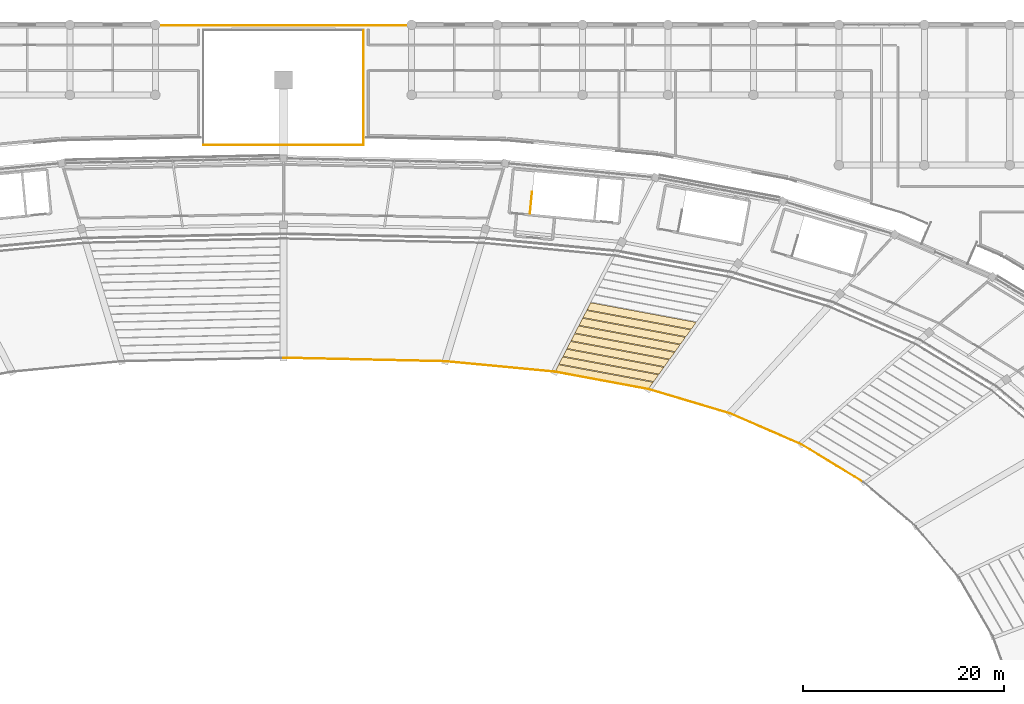
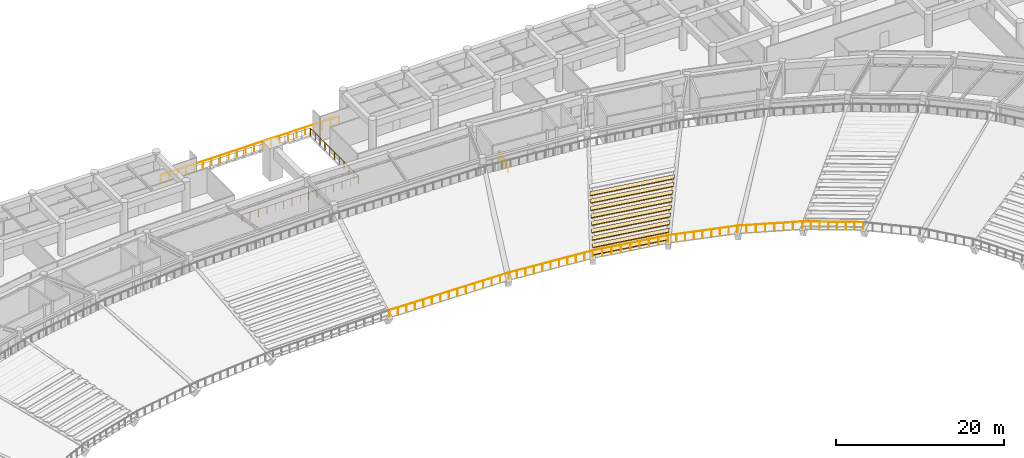
# One storey, part 135 of 137: 9 coverings, 4 railings.
"""IFC4 building model written with IfcOpenShell, lengths in metres."""

from ifc_helpers import new_model, si_unit, direction, frame, origin, origin_2d, place, context, subcontext, project, spatial, polyline, circle, outline, extrude, material, layer, layer_set, type_object, element, save


model = new_model("IFC4")

# Units and contexts
model_context = context("Model", 3, precision=1e-05, world=origin(), true_north=direction((0.0, 1.0)))
body_context = subcontext(model_context, "Body", "Model", "MODEL_VIEW")
ifc_project = project(units=[si_unit("LENGTHUNIT", "METRE"), si_unit("AREAUNIT", "SQUARE_METRE"), si_unit("VOLUMEUNIT", "CUBIC_METRE"), si_unit("PLANEANGLEUNIT", "RADIAN"), si_unit("MASSUNIT", "GRAM", prefix="KILO")], contexts=[model_context])

# Site, building, storey
site_placement = place(None, origin())
site = spatial("IfcSite", under=ifc_project, at=site_placement, CompositionType="ELEMENT")
building_placement = place(site_placement, origin())
building = spatial("IfcBuilding", under=site, at=building_placement, Name="Mphavela Belvedere Stadium", CompositionType="ELEMENT")
storey_placement = place(building_placement, frame((0.0, 0.0, 19.199951171875)))
storey = spatial("IfcBuildingStorey", under=building, at=storey_placement, Name="L04", CompositionType="ELEMENT", Elevation=19.199951171875)

# Coverings
ifc_material_1 = material(Name="Precast seating row terrazzo finish", Category="concrete")
ifc_layer = layer(ifc_material_1, 0.1201171875)
ifc_layer_set = layer_set([ifc_layer], Name="Precast seating row terrazzo finish")
covering_type = type_object("IfcCoveringType", Name="COV-SEAT-ROW-U", PredefinedType="FLOORING", material=ifc_layer_set)
covering_1_placement = place(storey_placement, frame((0.0, 0.0, -3.4033203125)))
element("IfcCovering", 1, at=covering_1_placement, inside=storey, type_object=covering_type, Name="Upper stand seating row bench B10-R01", PredefinedType="FLOORING", context=body_context, shape_type="SweptSolid", body=[
    extrude(outline(polyline([(151.3642578125, 137.6728515625), (142.0703125, 139.40380859375), (142.43701171875, 140.114013671875), (151.85693359375, 138.359619140625), (151.3642578125, 137.6728515625)])), origin(), (0.0, 0.0, 1.0), 0.1201171875),
])
covering_2_placement = place(storey_placement, frame((0.0, 0.0, -2.936767578125)))
element("IfcCovering", 2, at=covering_2_placement, inside=storey, type_object=covering_type, Name="Upper stand seating row bench B10-R02", PredefinedType="FLOORING", context=body_context, shape_type="SweptSolid", body=[
    extrude(outline(polyline([(151.89990234375, 138.419189453125), (142.468994140625, 140.175537109375), (142.835693359375, 140.8857421875), (152.392578125, 139.105712890625), (151.89990234375, 138.419189453125)])), origin(), (0.0, 0.0, 1.0), 0.1201171875),
])
covering_3_placement = place(storey_placement, frame((0.0, 0.0, -2.469970703125)))
element("IfcCovering", 3, at=covering_3_placement, inside=storey, type_object=covering_type, Name="Upper stand seating row bench B10-R03", PredefinedType="FLOORING", context=body_context, shape_type="SweptSolid", body=[
    extrude(outline(polyline([(152.435546875, 139.16552734375), (142.86767578125, 140.947509765625), (143.234375, 141.657470703125), (152.92822265625, 139.85205078125), (152.435546875, 139.16552734375)])), origin(), (0.0, 0.0, 1.0), 0.1201171875),
])
covering_4_placement = place(storey_placement, frame((0.0, 0.0, -2.003173828125)))
element("IfcCovering", 4, at=covering_4_placement, inside=storey, type_object=covering_type, Name="Upper stand seating row bench B10-R04", PredefinedType="FLOORING", context=body_context, shape_type="SweptSolid", body=[
    extrude(outline(polyline([(152.970947265625, 139.911865234375), (143.266357421875, 141.71923828125), (143.633056640625, 142.429443359375), (153.4638671875, 140.598388671875), (152.970947265625, 139.911865234375)])), origin(), (0.0, 0.0, 1.0), 0.119873046875),
])
covering_5_placement = place(storey_placement, frame((0.0, 0.0, -1.53662109375)))
element("IfcCovering", 5, at=covering_5_placement, inside=storey, type_object=covering_type, Name="Upper stand seating row bench B10-R05", PredefinedType="FLOORING", context=body_context, shape_type="SweptSolid", body=[
    extrude(outline(polyline([(153.506591796875, 140.658203125), (143.6650390625, 142.4912109375), (144.03173828125, 143.201171875), (153.99951171875, 141.3447265625), (153.506591796875, 140.658203125)])), origin(), (0.0, 0.0, 1.0), 0.119873046875),
])
covering_6_placement = place(storey_placement, frame((0.0, 0.0, -1.070068359375)))
element("IfcCovering", 6, at=covering_6_placement, inside=storey, type_object=covering_type, Name="Upper stand seating row bench B10-R06", PredefinedType="FLOORING", context=body_context, shape_type="SweptSolid", body=[
    extrude(outline(polyline([(154.042236328125, 141.404541015625), (144.063720703125, 143.262939453125), (144.430419921875, 143.97314453125), (154.534912109375, 142.09130859375), (154.042236328125, 141.404541015625)])), origin(), (0.0, 0.0, 1.0), 0.1201171875),
])
covering_7_placement = place(storey_placement, frame((0.0, 0.0, -0.603271484375)))
element("IfcCovering", 7, at=covering_7_placement, inside=storey, type_object=covering_type, Name="Upper stand seating row bench B10-R07", PredefinedType="FLOORING", context=body_context, shape_type="SweptSolid", body=[
    extrude(outline(polyline([(154.577880859375, 142.15087890625), (144.46240234375, 144.034912109375), (144.8291015625, 144.744873046875), (155.070556640625, 142.83740234375), (154.577880859375, 142.15087890625)])), origin(), (0.0, 0.0, 1.0), 0.1201171875),
])
covering_8_placement = place(storey_placement, frame((0.0, 0.0, -0.13671875)))
element("IfcCovering", 8, at=covering_8_placement, inside=storey, type_object=covering_type, Name="Upper stand seating row bench B10-R08", PredefinedType="FLOORING", context=body_context, shape_type="SweptSolid", body=[
    extrude(outline(polyline([(155.11328125, 142.897216796875), (144.861083984375, 144.806640625), (145.227783203125, 145.5166015625), (155.606201171875, 143.583984375), (155.11328125, 142.897216796875)])), origin(), (0.0, 0.0, 1.0), 0.1201171875),
])
covering_9_placement = place(storey_placement, frame((0.0, 0.0, 0.330078125)))
element("IfcCovering", 9, at=covering_9_placement, inside=storey, type_object=covering_type, Name="Upper stand seating row bench B10-R09", PredefinedType="FLOORING", context=body_context, shape_type="SweptSolid", body=[
    extrude(outline(polyline([(155.64892578125, 143.6435546875), (145.259765625, 145.57861328125), (145.626708984375, 146.28857421875), (156.141845703125, 144.330078125), (155.64892578125, 143.6435546875)])), origin(), (0.0, 0.0, 1.0), 0.119873046875),
])

# Railings
ifc_material_2 = material(Name="Bronze and laminated glass stadium balustrade", Category="glass")
railing_type_1 = type_object("IfcRailingType", Name="RAL-BALUSTRADE-1120", PredefinedType="BALUSTRADE", material=ifc_material_2)
railing_1_placement = place(storey_placement, frame((107.0, 162.0, 0.0)))
element("IfcRailing", 10, at=railing_1_placement, inside=storey, type_object=railing_type_1, Name="North Mast and Ceremonial End Forecourt court balustrade L04-A", PredefinedType="BALUSTRADE", context=body_context, shape_type="SweptSolid", body=[
    extrude(circle(Radius=0.02392578125, at=origin_2d()), frame((0.0, 0.0, 1.09619140625), z_axis=(1.0, 0.0, 0.0), x_axis=(0.0, 1.0, 0.0)), (0.0, 0.0, 1.0), 16.0),
    extrude(circle(Radius=0.02392578125, at=origin_2d()), frame((16.0, 0.0, 1.09619140625), z_axis=(0.0, 1.0, 0.0), x_axis=(-1.0, 0.0, 0.0)), (0.0, 0.0, 1.0), 11.419921875),
    extrude(circle(Radius=0.02099609375, at=origin_2d()), origin(), (0.0, 0.0, 1.0), 1.072021484375),
    extrude(circle(Radius=0.02099609375, at=origin_2d()), frame((1.142822265625, 0.0, 0.0)), (0.0, 0.0, 1.0), 1.072021484375),
    extrude(circle(Radius=0.02099609375, at=origin_2d()), frame((2.28564453125, 0.0, 0.0)), (0.0, 0.0, 1.0), 1.072021484375),
    extrude(circle(Radius=0.02099609375, at=origin_2d()), frame((3.428466796875, 0.0, 0.0)), (0.0, 0.0, 1.0), 1.072021484375),
    extrude(circle(Radius=0.02099609375, at=origin_2d()), frame((4.571533203125, 0.0, 0.0)), (0.0, 0.0, 1.0), 1.072021484375),
    extrude(circle(Radius=0.02099609375, at=origin_2d()), frame((5.71435546875, 0.0, 0.0)), (0.0, 0.0, 1.0), 1.072021484375),
    extrude(circle(Radius=0.02099609375, at=origin_2d()), frame((6.857177734375, 0.0, 0.0)), (0.0, 0.0, 1.0), 1.072021484375),
    extrude(circle(Radius=0.02099609375, at=origin_2d()), frame((8.0, 0.0, 0.0)), (0.0, 0.0, 1.0), 1.072021484375),
    extrude(circle(Radius=0.02099609375, at=origin_2d()), frame((9.142822265625, 0.0, 0.0)), (0.0, 0.0, 1.0), 1.072021484375),
    extrude(circle(Radius=0.02099609375, at=origin_2d()), frame((10.28564453125, 0.0, 0.0)), (0.0, 0.0, 1.0), 1.072021484375),
    extrude(circle(Radius=0.02099609375, at=origin_2d()), frame((11.428466796875, 0.0, 0.0)), (0.0, 0.0, 1.0), 1.072021484375),
    extrude(circle(Radius=0.02099609375, at=origin_2d()), frame((12.571533203125, 0.0, 0.0)), (0.0, 0.0, 1.0), 1.072021484375),
    extrude(circle(Radius=0.02099609375, at=origin_2d()), frame((13.71435546875, 0.0, 0.0)), (0.0, 0.0, 1.0), 1.072021484375),
    extrude(circle(Radius=0.02099609375, at=origin_2d()), frame((14.857177734375, 0.0, 0.0)), (0.0, 0.0, 1.0), 1.072021484375),
    extrude(circle(Radius=0.02099609375, at=origin_2d()), frame((16.0, 0.0, 0.0)), (0.0, 0.0, 1.0), 1.072021484375),
    extrude(circle(Radius=0.02099609375, at=origin_2d()), frame((16.0, 1.14208984375, 0.0)), (0.0, 0.0, 1.0), 1.072021484375),
    extrude(circle(Radius=0.02099609375, at=origin_2d()), frame((16.0, 2.283935546875, 0.0)), (0.0, 0.0, 1.0), 1.072021484375),
    extrude(circle(Radius=0.02099609375, at=origin_2d()), frame((16.0, 3.426025390625, 0.0)), (0.0, 0.0, 1.0), 1.072021484375),
    extrude(circle(Radius=0.02099609375, at=origin_2d()), frame((16.0, 4.56787109375, 0.0)), (0.0, 0.0, 1.0), 1.072021484375),
    extrude(circle(Radius=0.02099609375, at=origin_2d()), frame((16.0, 5.7099609375, 0.0)), (0.0, 0.0, 1.0), 1.072021484375),
    extrude(circle(Radius=0.02099609375, at=origin_2d()), frame((16.0, 6.85205078125, 0.0)), (0.0, 0.0, 1.0), 1.072021484375),
    extrude(circle(Radius=0.02099609375, at=origin_2d()), frame((16.0, 7.993896484375, 0.0)), (0.0, 0.0, 1.0), 1.072021484375),
    extrude(circle(Radius=0.02099609375, at=origin_2d()), frame((16.0, 9.135986328125, 0.0)), (0.0, 0.0, 1.0), 1.072021484375),
    extrude(circle(Radius=0.02099609375, at=origin_2d()), frame((16.0, 10.27783203125, 0.0)), (0.0, 0.0, 1.0), 1.072021484375),
    extrude(circle(Radius=0.02099609375, at=origin_2d()), frame((16.0, 11.419921875, 0.0)), (0.0, 0.0, 1.0), 1.072021484375),
])
railing_2_placement = place(storey_placement, frame((172.798583984375, 128.412353515625, -3.75)))
element("IfcRailing", 11, at=railing_2_placement, inside=storey, type_object=railing_type_1, Name="Bowl safety balustrade t2_front S2", PredefinedType="BALUSTRADE", context=body_context, shape_type="SweptSolid", body=[
    extrude(circle(Radius=0.02392578125, at=origin_2d()), frame((0.0, 0.0, 1.09619140625), z_axis=(-0.854327633962, 0.519734830321, 0.0), x_axis=(-0.519734830321, -0.854327633962, 0.0)), (0.0, 0.0, 1.0), 7.230224609375),
    extrude(circle(Radius=0.02392578125, at=origin_2d()), frame((-6.177001953125, 3.7578125, 1.09619140625), z_axis=(-0.917506303716, 0.397721237353, 0.0), x_axis=(-0.397721237353, -0.917506303716, 0.0)), (0.0, 0.0, 1.0), 7.766357421875),
    extrude(circle(Radius=0.02392578125, at=origin_2d()), frame((-13.302734375, 6.8466796875, 1.09619140625), z_axis=(-0.958654841276, 0.284571423896, 0.0), x_axis=(-0.284571423896, -0.958654841276, 0.0)), (0.0, 0.0, 1.0), 8.482177734375),
    extrude(circle(Radius=0.02392578125, at=origin_2d()), frame((-21.434326171875, 9.260498046875, 1.09619140625), z_axis=(-0.983094824356, 0.18309714996, 0.0), x_axis=(-0.18309714996, -0.983094824356, 0.0)), (0.0, 0.0, 1.0), 9.453857421875),
    extrude(circle(Radius=0.02392578125, at=origin_2d()), frame((-30.728271484375, 10.991455078125, 1.09619140625), z_axis=(-0.995484465186, 0.094924599412, 0.0), x_axis=(-0.094924599412, -0.995484465186, 0.0)), (0.0, 0.0, 1.0), 10.971923828125),
    extrude(circle(Radius=0.02392578125, at=origin_2d()), frame((-41.650634765625, 12.032958984375, 1.09619140625), z_axis=(-0.999768322215, 0.021524448774, 0.0), x_axis=(-0.021524448774, -0.999768322215, 0.0)), (0.0, 0.0, 1.0), 16.151611328125),
    extrude(circle(Radius=0.02099609375, at=origin_2d()), origin(), (0.0, 0.0, 1.0), 1.072021484375),
    extrude(circle(Radius=0.02099609375, at=origin_2d()), frame((-0.88232421875, 0.536865234375, 0.0)), (0.0, 0.0, 1.0), 1.072021484375),
    extrude(circle(Radius=0.02099609375, at=origin_2d()), frame((-1.764892578125, 1.07373046875, 0.0)), (0.0, 0.0, 1.0), 1.072021484375),
    extrude(circle(Radius=0.02099609375, at=origin_2d()), frame((-2.647216796875, 1.610595703125, 0.0)), (0.0, 0.0, 1.0), 1.072021484375),
    extrude(circle(Radius=0.02099609375, at=origin_2d()), frame((-3.52978515625, 2.147216796875, 0.0)), (0.0, 0.0, 1.0), 1.072021484375),
    extrude(circle(Radius=0.02099609375, at=origin_2d()), frame((-4.412109375, 2.68408203125, 0.0)), (0.0, 0.0, 1.0), 1.072021484375),
    extrude(circle(Radius=0.02099609375, at=origin_2d()), frame((-5.294677734375, 3.220947265625, 0.0)), (0.0, 0.0, 1.0), 1.072021484375),
    extrude(circle(Radius=0.02099609375, at=origin_2d()), frame((-6.177001953125, 3.7578125, 0.0)), (0.0, 0.0, 1.0), 1.072021484375),
    extrude(circle(Radius=0.02099609375, at=origin_2d()), frame((-7.195068359375, 4.198974609375, 0.0)), (0.0, 0.0, 1.0), 1.072021484375),
    extrude(circle(Radius=0.02099609375, at=origin_2d()), frame((-8.212890625, 4.640380859375, 0.0)), (0.0, 0.0, 1.0), 1.072021484375),
    extrude(circle(Radius=0.02099609375, at=origin_2d()), frame((-9.23095703125, 5.08154296875, 0.0)), (0.0, 0.0, 1.0), 1.072021484375),
    extrude(circle(Radius=0.02099609375, at=origin_2d()), frame((-10.248779296875, 5.52294921875, 0.0)), (0.0, 0.0, 1.0), 1.072021484375),
    extrude(circle(Radius=0.02099609375, at=origin_2d()), frame((-11.266845703125, 5.964111328125, 0.0)), (0.0, 0.0, 1.0), 1.072021484375),
    extrude(circle(Radius=0.02099609375, at=origin_2d()), frame((-12.28466796875, 6.405517578125, 0.0)), (0.0, 0.0, 1.0), 1.072021484375),
    extrude(circle(Radius=0.02099609375, at=origin_2d()), frame((-13.302734375, 6.8466796875, 0.0)), (0.0, 0.0, 1.0), 1.072021484375),
    extrude(circle(Radius=0.02099609375, at=origin_2d()), frame((-14.319091796875, 7.1484375, 0.0)), (0.0, 0.0, 1.0), 1.072021484375),
    extrude(circle(Radius=0.02099609375, at=origin_2d()), frame((-15.335693359375, 7.4501953125, 0.0)), (0.0, 0.0, 1.0), 1.072021484375),
    extrude(circle(Radius=0.02099609375, at=origin_2d()), frame((-16.35205078125, 7.751953125, 0.0)), (0.0, 0.0, 1.0), 1.072021484375),
    extrude(circle(Radius=0.02099609375, at=origin_2d()), frame((-17.36865234375, 8.0537109375, 0.0)), (0.0, 0.0, 1.0), 1.072021484375),
    extrude(circle(Radius=0.02099609375, at=origin_2d()), frame((-18.385009765625, 8.355224609375, 0.0)), (0.0, 0.0, 1.0), 1.072021484375),
    extrude(circle(Radius=0.02099609375, at=origin_2d()), frame((-19.4013671875, 8.656982421875, 0.0)), (0.0, 0.0, 1.0), 1.072021484375),
    extrude(circle(Radius=0.02099609375, at=origin_2d()), frame((-20.41796875, 8.958740234375, 0.0)), (0.0, 0.0, 1.0), 1.072021484375),
    extrude(circle(Radius=0.02099609375, at=origin_2d()), frame((-21.434326171875, 9.260498046875, 0.0)), (0.0, 0.0, 1.0), 1.072021484375),
    extrude(circle(Radius=0.02099609375, at=origin_2d()), frame((-22.59619140625, 9.476806640625, 0.0)), (0.0, 0.0, 1.0), 1.072021484375),
    extrude(circle(Radius=0.02099609375, at=origin_2d()), frame((-23.7578125, 9.693359375, 0.0)), (0.0, 0.0, 1.0), 1.072021484375),
    extrude(circle(Radius=0.02099609375, at=origin_2d()), frame((-24.91943359375, 9.90966796875, 0.0)), (0.0, 0.0, 1.0), 1.072021484375),
    extrude(circle(Radius=0.02099609375, at=origin_2d()), frame((-26.081298828125, 10.1259765625, 0.0)), (0.0, 0.0, 1.0), 1.072021484375),
    extrude(circle(Radius=0.02099609375, at=origin_2d()), frame((-27.2431640625, 10.34228515625, 0.0)), (0.0, 0.0, 1.0), 1.072021484375),
    extrude(circle(Radius=0.02099609375, at=origin_2d()), frame((-28.40478515625, 10.55859375, 0.0)), (0.0, 0.0, 1.0), 1.072021484375),
    extrude(circle(Radius=0.02099609375, at=origin_2d()), frame((-29.56640625, 10.775146484375, 0.0)), (0.0, 0.0, 1.0), 1.072021484375),
    extrude(circle(Radius=0.02099609375, at=origin_2d()), frame((-30.728271484375, 10.991455078125, 0.0)), (0.0, 0.0, 1.0), 1.072021484375),
    extrude(circle(Radius=0.02099609375, at=origin_2d()), frame((-31.820556640625, 11.095703125, 0.0)), (0.0, 0.0, 1.0), 1.072021484375),
    extrude(circle(Radius=0.02099609375, at=origin_2d()), frame((-32.912841796875, 11.19970703125, 0.0)), (0.0, 0.0, 1.0), 1.072021484375),
    extrude(circle(Radius=0.02099609375, at=origin_2d()), frame((-34.0048828125, 11.303955078125, 0.0)), (0.0, 0.0, 1.0), 1.072021484375),
    extrude(circle(Radius=0.02099609375, at=origin_2d()), frame((-35.09716796875, 11.407958984375, 0.0)), (0.0, 0.0, 1.0), 1.072021484375),
    extrude(circle(Radius=0.02099609375, at=origin_2d()), frame((-36.189453125, 11.51220703125, 0.0)), (0.0, 0.0, 1.0), 1.072021484375),
    extrude(circle(Radius=0.02099609375, at=origin_2d()), frame((-37.28173828125, 11.616455078125, 0.0)), (0.0, 0.0, 1.0), 1.072021484375),
    extrude(circle(Radius=0.02099609375, at=origin_2d()), frame((-38.3740234375, 11.720458984375, 0.0)), (0.0, 0.0, 1.0), 1.072021484375),
    extrude(circle(Radius=0.02099609375, at=origin_2d()), frame((-39.466064453125, 11.82470703125, 0.0)), (0.0, 0.0, 1.0), 1.072021484375),
    extrude(circle(Radius=0.02099609375, at=origin_2d()), frame((-40.558349609375, 11.9287109375, 0.0)), (0.0, 0.0, 1.0), 1.072021484375),
    extrude(circle(Radius=0.02099609375, at=origin_2d()), frame((-41.650634765625, 12.032958984375, 0.0)), (0.0, 0.0, 1.0), 1.072021484375),
    extrude(circle(Radius=0.02099609375, at=origin_2d()), frame((-42.803955078125, 12.057861328125, 0.0)), (0.0, 0.0, 1.0), 1.072021484375),
    extrude(circle(Radius=0.02099609375, at=origin_2d()), frame((-43.95751953125, 12.08251953125, 0.0)), (0.0, 0.0, 1.0), 1.072021484375),
    extrude(circle(Radius=0.02099609375, at=origin_2d()), frame((-45.11083984375, 12.107421875, 0.0)), (0.0, 0.0, 1.0), 1.072021484375),
    extrude(circle(Radius=0.02099609375, at=origin_2d()), frame((-46.264404296875, 12.13232421875, 0.0)), (0.0, 0.0, 1.0), 1.072021484375),
    extrude(circle(Radius=0.02099609375, at=origin_2d()), frame((-47.417724609375, 12.1572265625, 0.0)), (0.0, 0.0, 1.0), 1.072021484375),
    extrude(circle(Radius=0.02099609375, at=origin_2d()), frame((-48.5712890625, 12.181884765625, 0.0)), (0.0, 0.0, 1.0), 1.072021484375),
    extrude(circle(Radius=0.02099609375, at=origin_2d()), frame((-49.724609375, 12.206787109375, 0.0)), (0.0, 0.0, 1.0), 1.072021484375),
    extrude(circle(Radius=0.02099609375, at=origin_2d()), frame((-50.8779296875, 12.231689453125, 0.0)), (0.0, 0.0, 1.0), 1.072021484375),
    extrude(circle(Radius=0.02099609375, at=origin_2d()), frame((-52.031494140625, 12.25634765625, 0.0)), (0.0, 0.0, 1.0), 1.072021484375),
    extrude(circle(Radius=0.02099609375, at=origin_2d()), frame((-53.184814453125, 12.28125, 0.0)), (0.0, 0.0, 1.0), 1.072021484375),
    extrude(circle(Radius=0.02099609375, at=origin_2d()), frame((-54.33837890625, 12.30615234375, 0.0)), (0.0, 0.0, 1.0), 1.072021484375),
    extrude(circle(Radius=0.02099609375, at=origin_2d()), frame((-55.49169921875, 12.3310546875, 0.0)), (0.0, 0.0, 1.0), 1.072021484375),
    extrude(circle(Radius=0.02099609375, at=origin_2d()), frame((-56.645263671875, 12.355712890625, 0.0)), (0.0, 0.0, 1.0), 1.072021484375),
    extrude(circle(Radius=0.02099609375, at=origin_2d()), frame((-57.798583984375, 12.380615234375, 0.0)), (0.0, 0.0, 1.0), 1.072021484375),
])
railing_3_placement = place(storey_placement, frame((102.765380859375, 173.919921875, 0.0)))
element("IfcRailing", 12, at=railing_3_placement, inside=storey, type_object=railing_type_1, Name="Peristyle wing gallery edge balustrade L04-44", PredefinedType="BALUSTRADE", context=body_context, shape_type="SweptSolid", body=[
    extrude(circle(Radius=0.02392578125, at=origin_2d()), frame((0.0, 0.0, 1.09619140625), z_axis=(1.0, 0.0, 0.0), x_axis=(0.0, 1.0, 0.0)), (0.0, 0.0, 1.0), 24.46923828125),
    extrude(circle(Radius=0.02099609375, at=origin_2d()), origin(), (0.0, 0.0, 1.0), 1.072021484375),
    extrude(circle(Radius=0.02099609375, at=origin_2d()), frame((1.165283203125, 0.0, 0.0)), (0.0, 0.0, 1.0), 1.072021484375),
    extrude(circle(Radius=0.02099609375, at=origin_2d()), frame((2.330322265625, 0.0, 0.0)), (0.0, 0.0, 1.0), 1.072021484375),
    extrude(circle(Radius=0.02099609375, at=origin_2d()), frame((3.49560546875, 0.0, 0.0)), (0.0, 0.0, 1.0), 1.072021484375),
    extrude(circle(Radius=0.02099609375, at=origin_2d()), frame((4.660888671875, 0.0, 0.0)), (0.0, 0.0, 1.0), 1.072021484375),
    extrude(circle(Radius=0.02099609375, at=origin_2d()), frame((5.825927734375, 0.0, 0.0)), (0.0, 0.0, 1.0), 1.072021484375),
    extrude(circle(Radius=0.02099609375, at=origin_2d()), frame((6.9912109375, 0.0, 0.0)), (0.0, 0.0, 1.0), 1.072021484375),
    extrude(circle(Radius=0.02099609375, at=origin_2d()), frame((8.156494140625, 0.0, 0.0)), (0.0, 0.0, 1.0), 1.072021484375),
    extrude(circle(Radius=0.02099609375, at=origin_2d()), frame((9.321533203125, 0.0, 0.0)), (0.0, 0.0, 1.0), 1.072021484375),
    extrude(circle(Radius=0.02099609375, at=origin_2d()), frame((10.48681640625, 0.0, 0.0)), (0.0, 0.0, 1.0), 1.072021484375),
    extrude(circle(Radius=0.02099609375, at=origin_2d()), frame((11.652099609375, 0.0, 0.0)), (0.0, 0.0, 1.0), 1.072021484375),
    extrude(circle(Radius=0.02099609375, at=origin_2d()), frame((12.817138671875, 0.0, 0.0)), (0.0, 0.0, 1.0), 1.072021484375),
    extrude(circle(Radius=0.02099609375, at=origin_2d()), frame((13.982421875, 0.0, 0.0)), (0.0, 0.0, 1.0), 1.072021484375),
    extrude(circle(Radius=0.02099609375, at=origin_2d()), frame((15.147705078125, 0.0, 0.0)), (0.0, 0.0, 1.0), 1.072021484375),
    extrude(circle(Radius=0.02099609375, at=origin_2d()), frame((16.312744140625, 0.0, 0.0)), (0.0, 0.0, 1.0), 1.072021484375),
    extrude(circle(Radius=0.02099609375, at=origin_2d()), frame((17.47802734375, 0.0, 0.0)), (0.0, 0.0, 1.0), 1.072021484375),
    extrude(circle(Radius=0.02099609375, at=origin_2d()), frame((18.643310546875, 0.0, 0.0)), (0.0, 0.0, 1.0), 1.072021484375),
    extrude(circle(Radius=0.02099609375, at=origin_2d()), frame((19.808349609375, 0.0, 0.0)), (0.0, 0.0, 1.0), 1.072021484375),
    extrude(circle(Radius=0.02099609375, at=origin_2d()), frame((20.9736328125, 0.0, 0.0)), (0.0, 0.0, 1.0), 1.072021484375),
    extrude(circle(Radius=0.02099609375, at=origin_2d()), frame((22.138916015625, 0.0, 0.0)), (0.0, 0.0, 1.0), 1.072021484375),
    extrude(circle(Radius=0.02099609375, at=origin_2d()), frame((23.303955078125, 0.0, 0.0)), (0.0, 0.0, 1.0), 1.072021484375),
    extrude(circle(Radius=0.02099609375, at=origin_2d()), frame((24.46923828125, 0.0, 0.0)), (0.0, 0.0, 1.0), 1.072021484375),
])
ifc_material_3 = material(Name="Painted galvanised steel stair guardrail", Category="steel")
railing_type_2 = type_object("IfcRailingType", Name="RAL-GUARD-1120", PredefinedType="GUARDRAIL", material=ifc_material_3)
railing_4_placement = place(storey_placement, frame((139.571044921875, 155.155517578125, 0.0)))
element("IfcRailing", 13, at=railing_4_placement, inside=storey, type_object=railing_type_2, Name="L04 ST-C03 top well guard 1", PredefinedType="GUARDRAIL", context=body_context, shape_type="SweptSolid", body=[
    extrude(circle(Radius=0.02392578125, at=origin_2d()), frame((0.0, 0.0, 1.09619140625), z_axis=(0.094957755398, 0.995481303034, 0.0), x_axis=(-0.995481303034, 0.094957755398, 0.0)), (0.0, 0.0, 1.0), 2.169921875),
    extrude(circle(Radius=0.02099609375, at=origin_2d()), origin(), (0.0, 0.0, 1.0), 1.072021484375),
    extrude(circle(Radius=0.02099609375, at=origin_2d()), frame((0.10302734375, 1.080078125, 0.0)), (0.0, 0.0, 1.0), 1.072021484375),
    extrude(circle(Radius=0.02099609375, at=origin_2d()), frame((0.2060546875, 2.16015625, 0.0)), (0.0, 0.0, 1.0), 1.072021484375),
])

save(model, "model.ifc")
